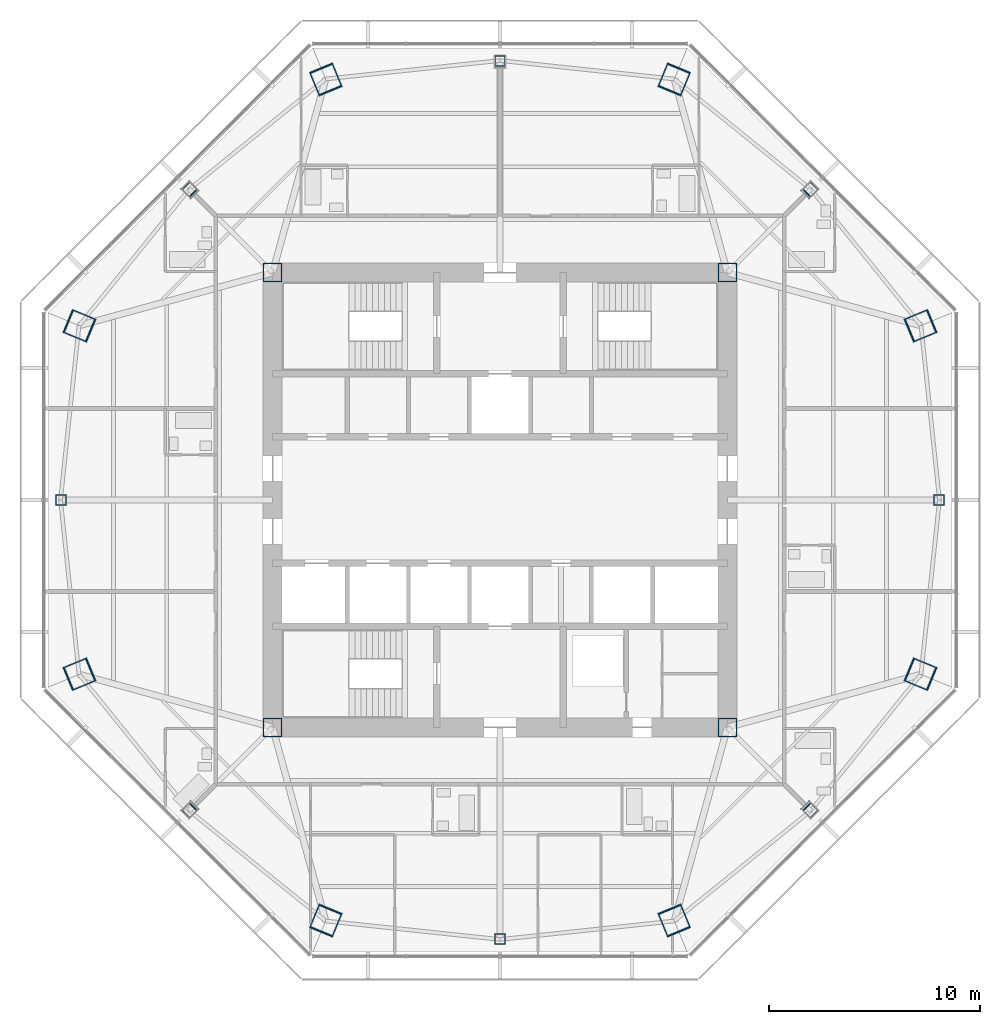
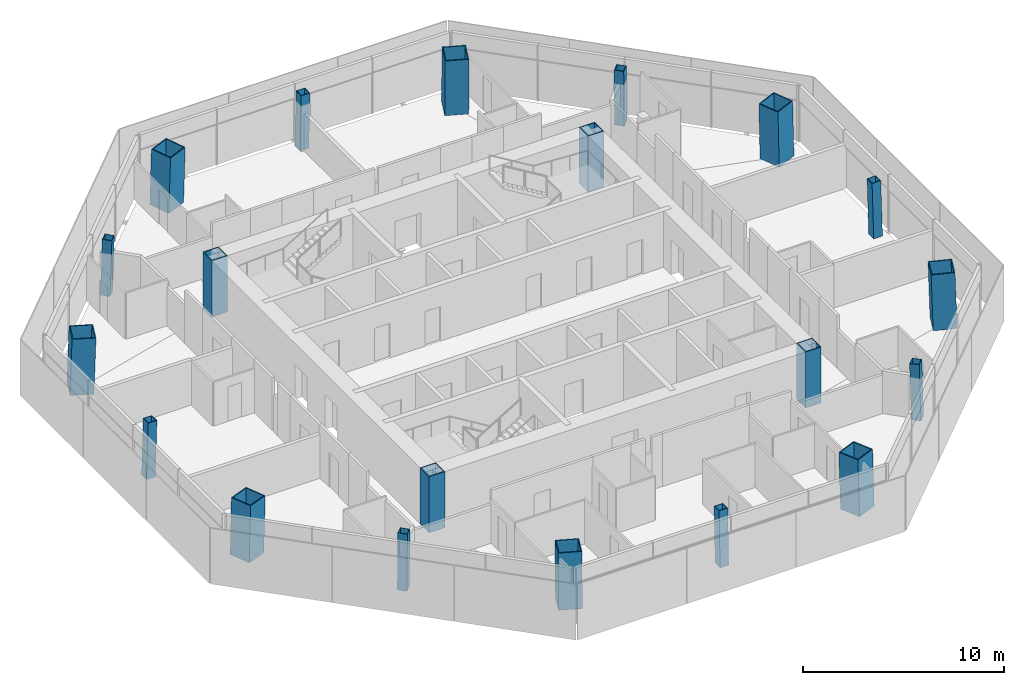
# One storey, part 1 of 15: 20 columns.
"""IFC4 building model written with IfcOpenShell, lengths in metres."""

import ifcopenshell
import ifcopenshell.guid

model = None  # the IFC model being written
_history = None  # IfcOwnerHistory: only IFC2X3 demands one
_inside = {}  # id of a spatial element -> (the spatial element, [elements in it])
_under = {}  # id of a project, library or spatial element -> (it, [spatial elements below it])
_declared = {}  # id of a project -> (the project, [libraries it declares])
_typed = {}  # id of a type object -> (the type object, [elements of that type])
_made_of = {}  # id of a material, layer set ... -> (it, [elements and type objects made of it])


def new_model(schema):
    """Start an empty IFC model of exactly this schema.

    Asked for "IFC4X3", IfcOpenShell would pick the latest addendum, in which some entities
    have other attributes; the version numbers below select the first issue.
    IFC2X3 requires an IfcOwnerHistory on every rooted entity: one is made here for all.
    """
    global model, _history
    if schema == "IFC4X3":
        model = ifcopenshell.file(schema_version=(4, 3, 0, 0))
    else:
        model = ifcopenshell.file(schema=schema)
    _inside.clear()
    _under.clear()
    _declared.clear()
    _typed.clear()
    _made_of.clear()
    _history = None
    if model.schema == "IFC2X3":
        org = make("IfcOrganization", Name="unknown")
        user = make(
            "IfcPersonAndOrganization",
            ThePerson=make("IfcPerson", FamilyName="unknown"),
            TheOrganization=org,
        )
        app = make(
            "IfcApplication",
            ApplicationDeveloper=org,
            Version="unknown",
            ApplicationFullName="unknown",
            ApplicationIdentifier="unknown",
        )
        _history = make(
            "IfcOwnerHistory",
            OwningUser=user,
            OwningApplication=app,
            ChangeAction="ADDED",
            CreationDate=0,
        )
    return model


def make(cls, **values):
    """One entity of the class cls with the attributes given. An attribute that is None is left unset."""
    return model.create_entity(
        cls, **{name: value for name, value in values.items() if value is not None}
    )


def rooted(cls, **values):
    """An entity with a GlobalId (a new one), such as an element, a storey or a relation."""
    return make(cls, GlobalId=ifcopenshell.guid.new(), OwnerHistory=_history, **values)


def si_unit(unit_type, name, prefix=None):
    """IfcSIUnit, for example si_unit("LENGTHUNIT", "METRE", prefix="MILLI")."""
    return make("IfcSIUnit", UnitType=unit_type, Prefix=prefix, Name=name)


def assignment(units):
    """IfcUnitAssignment: the units of a project."""
    return None if units is None else make("IfcUnitAssignment", Units=units)


def point(xyz):
    """IfcCartesianPoint."""
    return None if xyz is None else make("IfcCartesianPoint", Coordinates=xyz)


def direction(xyz):
    """IfcDirection."""
    return None if xyz is None else make("IfcDirection", DirectionRatios=xyz)


def frame(location, z_axis=None, x_axis=None):
    """IfcAxis2Placement3D, a coordinate frame: its origin and axes. An axis left out is left unset."""
    return make(
        "IfcAxis2Placement3D",
        Location=point(location),
        Axis=direction(z_axis),
        RefDirection=direction(x_axis),
    )


def frame_2d(location, x_axis=None):
    """IfcAxis2Placement2D, a coordinate frame in the plane: its origin and x axis."""
    return make(
        "IfcAxis2Placement2D", Location=point(location), RefDirection=direction(x_axis)
    )


def origin():
    """The frame at (0, 0, 0) with its axes left unset."""
    return frame((0.0, 0.0, 0.0))


def origin_2d():
    """The frame at (0, 0) in the plane with its x axis left unset."""
    return frame_2d((0.0, 0.0))


def place(relative_to, where):
    """IfcLocalPlacement: puts the frame where relative to a parent placement (None: the world)."""
    return make(
        "IfcLocalPlacement", PlacementRelTo=relative_to, RelativePlacement=where
    )


def context(
    kind, dimensions, precision=None, world=None, true_north=None, identifier=None
):
    """IfcGeometricRepresentationContext, for example the 3D "Model" context."""
    return make(
        "IfcGeometricRepresentationContext",
        ContextIdentifier=identifier,
        ContextType=kind,
        CoordinateSpaceDimension=dimensions,
        Precision=precision,
        WorldCoordinateSystem=world,
        TrueNorth=true_north,
    )


def subcontext(parent, identifier, kind, view, scale=None):
    """IfcGeometricRepresentationSubContext, for example "Body" below "Model"."""
    return make(
        "IfcGeometricRepresentationSubContext",
        ContextIdentifier=identifier,
        ContextType=kind,
        ParentContext=parent,
        TargetScale=scale,
        TargetView=view,
    )


def project(units=None, contexts=None):
    """IfcProject with its units and contexts."""
    return rooted(
        "IfcProject",
        Name="project",
        RepresentationContexts=contexts,
        UnitsInContext=assignment(units),
    )


def spatial(cls, under=None, at=None, **own):
    """A site, building, storey or space (cls), placed at a placement, below another one or the project."""
    s = rooted(cls, ObjectPlacement=at, **own)
    if under is not None:
        _under.setdefault(under.id(), (under, []))[1].append(s)
    return s


def profile(cls, at=None, kind="AREA", **sizes):
    """A parametric profile (cls). Its sizes go by their IFC names, for example OverallWidth=200.0."""
    return make(cls, ProfileType=kind, Position=at, **sizes)


def hollow_rectangle(**sizes):
    """IfcRectangleHollowProfileDef."""
    return profile("IfcRectangleHollowProfileDef", **sizes)


def extrude(swept, where, along, depth):
    """IfcExtrudedAreaSolid: the profile swept, set in the frame where, extruded along a direction by depth."""
    return make(
        "IfcExtrudedAreaSolid",
        SweptArea=swept,
        Position=where,
        ExtrudedDirection=direction(along),
        Depth=depth,
    )


def shape(context_of_items, identifier, shape_type, items):
    """IfcShapeRepresentation: the items that make up one representation, for example the "Body"."""
    return make(
        "IfcShapeRepresentation",
        ContextOfItems=context_of_items,
        RepresentationIdentifier=identifier,
        RepresentationType=shape_type,
        Items=items,
    )


def material(Name=None, Category=None):
    """IfcMaterial."""
    return make("IfcMaterial", Name=Name, Category=Category)


def material_profile(
    of_material, cross_section, Name=None, Category=None, Priority=None
):
    """IfcMaterialProfile: a cross section and its material."""
    return make(
        "IfcMaterialProfile",
        Name=Name,
        Material=of_material,
        Profile=cross_section,
        Priority=Priority,
        Category=Category,
    )


def profile_set(profiles, Name=None, composite=None):
    """IfcMaterialProfileSet."""
    return make(
        "IfcMaterialProfileSet",
        Name=Name,
        MaterialProfiles=profiles,
        CompositeProfile=composite,
    )


def made_of(thing, what):
    """Note that an element or type object is made of a material, layer set ...; save() writes the relation."""
    if what is not None:
        _made_of.setdefault(what.id(), (what, []))[1].append(thing)
    return thing


def type_object(cls, material=None, **own):
    """A type object (cls), such as IfcWallType, which elements share."""
    return made_of(rooted(cls, **own), material)


def element(
    cls,
    number,
    at=None,
    inside=None,
    cuts=None,
    type_object=None,
    material=None,
    context=None,
    identifier="Body",
    shape_type=None,
    held_by="IfcProductDefinitionShape",
    body=None,
    shapes=None,
    **own,
):
    """One element of the class cls, such as IfcWall. Its Tag is "e" and its number.

    at: its placement. inside: the storey or other place that contains it. cuts: it is an
    opening in that element (IfcRelVoidsElement). A single representation is given by context,
    identifier, shape_type and body (its items); several are given by shapes. held_by: the class
    of the entity that holds the representations. save() writes the other relations.
    """
    e = rooted(cls, Tag="e%d" % number, ObjectPlacement=at, **own)
    if body is not None:
        shapes = [shape(context, identifier, shape_type, body)]
    if shapes is not None:
        e.Representation = make(held_by, Representations=shapes)
    if inside is not None:
        _inside.setdefault(inside.id(), (inside, []))[1].append(e)
    if cuts is not None:
        rooted(
            "IfcRelVoidsElement", RelatingBuildingElement=cuts, RelatedOpeningElement=e
        )
    if type_object is not None:
        _typed.setdefault(type_object.id(), (type_object, []))[1].append(e)
    return made_of(e, material)


def aggregate(whole, parts):
    """IfcRelAggregates: a whole, such as a stair, and the parts it consists of."""
    return rooted("IfcRelAggregates", RelatingObject=whole, RelatedObjects=parts)


def save(model, path):
    """Write the relations noted so far, then the file.

    IfcRelAggregates (storeys below a building ...), IfcRelContainedInSpatialStructure (elements
    in a storey), IfcRelDefinesByType, IfcRelAssociatesMaterial and IfcRelDeclares: one each for
    every whole, place, type object, material and project.
    """
    for whole, parts in _under.values():
        aggregate(whole, parts)
    for where, things in _inside.values():
        rooted(
            "IfcRelContainedInSpatialStructure",
            RelatedElements=things,
            RelatingStructure=where,
        )
    for kind, things in _typed.values():
        rooted("IfcRelDefinesByType", RelatedObjects=things, RelatingType=kind)
    for what, things in _made_of.values():
        rooted("IfcRelAssociatesMaterial", RelatedObjects=things, RelatingMaterial=what)
    for by, libraries in _declared.values():
        rooted("IfcRelDeclares", RelatingContext=by, RelatedDefinitions=libraries)
    model.write(path)


model = new_model("IFC4")

# Units and contexts
model_context = context("Model", 3, precision=1e-05, world=origin(), true_north=direction((0.0, 1.0)))
body_context = subcontext(model_context, "Body", "Model", "MODEL_VIEW")
ifc_project = project(units=[si_unit("LENGTHUNIT", "METRE"), si_unit("AREAUNIT", "SQUARE_METRE"), si_unit("VOLUMEUNIT", "CUBIC_METRE"), si_unit("PLANEANGLEUNIT", "RADIAN"), si_unit("MASSUNIT", "GRAM", prefix="KILO")], contexts=[model_context])

# Site, building, storey
site_placement = place(None, origin())
site = spatial("IfcSite", under=ifc_project, at=site_placement, CompositionType="ELEMENT")
building_placement = place(site_placement, origin())
building = spatial("IfcBuilding", under=site, at=building_placement, Name="Mashrafa Tower", CompositionType="ELEMENT")
storey_placement = place(building_placement, frame((0.0, 0.0, 224.39990234375)))
storey = spatial("IfcBuildingStorey", under=building, at=storey_placement, Name="L52", CompositionType="ELEMENT", Elevation=224.39990234375)

# Columns
ifc_material_1 = material(Name="Steel ASTM A572 Gr 50", Category="steel")
ifc_material_profile_1 = material_profile(ifc_material_1, hollow_rectangle(XDim=0.89990234375, YDim=0.89990234375, WallThickness=0.050048828125, at=origin_2d()), Name="BOX900X900X50")
ifc_profile_set_1 = profile_set([ifc_material_profile_1], Name="Steel ASTM A572 Gr 50")
column_type_1 = type_object("IfcColumnType", Name="Core corner column BOX900X900X50", PredefinedType="COLUMN", material=ifc_profile_set_1)
for number, where, z_axis, x_axis, name in (
    (1, (10.800048828125, 10.800048828125, 0.0), (0.0, 0.0, 1.0), (1.0, 0.0, 0.0), "Core corner column CC-NE L52"),
    (2, (-10.800048828125, 10.800048828125, 0.0), (0.0, 0.0, 1.0), (1.0, 0.0, 0.0), "Core corner column CC-NW L52"),
    (3, (-10.800048828125, -10.800048828125, 0.0), (0.0, 0.0, 1.0), (1.0, 0.0, 0.0), "Core corner column CC-SW L52"),
    (4, (10.800048828125, -10.800048828125, 0.0), (0.0, 0.0, 1.0), (1.0, 0.0, 0.0), "Core corner column CC-SE L52"),
):
    element("IfcColumn", number, at=place(storey_placement, frame(where, z_axis=z_axis, x_axis=x_axis)), inside=storey, type_object=column_type_1, Name=name, PredefinedType="COLUMN", context=body_context, shape_type="SweptSolid", body=[
        extrude(hollow_rectangle(XDim=0.89990234375, YDim=0.89990234375, WallThickness=0.050048828125, at=origin_2d()), origin(), (0.0, 0.0, 1.0), 3.400146484375),
    ])
ifc_material_2 = material(Name="Steel ASTM A572 Gr 50", Category="steel")
ifc_material_profile_2 = material_profile(ifc_material_2, hollow_rectangle(XDim=1.199951171875, YDim=1.199951171875, WallThickness=0.054931640625, at=origin_2d()), Name="BOX1200X1200X55")
ifc_profile_set_2 = profile_set([ifc_material_profile_2], Name="Steel ASTM A572 Gr 50")
column_type_2 = type_object("IfcColumnType", Name="Mega column CFST BOX1200X1200X55", PredefinedType="COLUMN", material=ifc_profile_set_2)
for number, where, z_axis, x_axis, name in (
    (5, (19.988525390625, 8.279541015625, 0.0), (-0.028277121884, -0.011698403216, 0.999531666202), (0.382282742426, -0.924045401938, 0.0), "Mega column MC1 L52"),
    (6, (8.279541015625, 19.988525390625, 0.0), (-0.011698403216, -0.028277121884, 0.999531666202), (0.924045401938, -0.382282742426, 0.0), "Mega column MC2 L52"),
    (7, (-8.279541015625, 19.988525390625, 0.0), (0.011698403216, -0.028277121884, 0.999531666202), (0.924045401938, 0.382282742426, 0.0), "Mega column MC3 L52"),
    (8, (-19.988525390625, 8.279541015625, 0.0), (0.028277121884, -0.011698403216, 0.999531666202), (0.382282742426, 0.924045401938, 0.0), "Mega column MC4 L52"),
    (9, (-19.988525390625, -8.279541015625, 0.0), (0.028277121884, 0.011698403216, 0.999531666202), (-0.382282742426, 0.924045401938, 0.0), "Mega column MC5 L52"),
    (10, (-8.279541015625, -19.988525390625, 0.0), (0.011698403216, 0.028277121884, 0.999531666202), (-0.924045401938, 0.382282742426, 0.0), "Mega column MC6 L52"),
    (11, (8.279541015625, -19.988525390625, 0.0), (-0.011698403216, 0.028277121884, 0.999531666202), (-0.924045401938, -0.382282742426, 0.0), "Mega column MC7 L52"),
    (12, (19.988525390625, -8.279541015625, 0.0), (-0.028277121884, 0.011698403216, 0.999531666202), (-0.382282742426, -0.924045401938, 0.0), "Mega column MC8 L52"),
):
    element("IfcColumn", number, at=place(storey_placement, frame(where, z_axis=z_axis, x_axis=x_axis)), inside=storey, type_object=column_type_2, Name=name, PredefinedType="COLUMN", context=body_context, shape_type="SweptSolid", body=[
        extrude(hollow_rectangle(XDim=1.199951171875, YDim=1.199951171875, WallThickness=0.054931640625, at=origin_2d()), origin(), (0.0, 0.0, 1.0), 3.40185546875),
    ])
ifc_material_3 = material(Name="Steel ASTM A572 Gr 50", Category="steel")
ifc_material_profile_3 = material_profile(ifc_material_3, hollow_rectangle(XDim=0.5, YDim=0.5, WallThickness=0.02490234375, at=origin_2d()), Name="BOX500X500X25")
ifc_profile_set_3 = profile_set([ifc_material_profile_3], Name="Steel ASTM A572 Gr 50")
column_type_3 = type_object("IfcColumnType", Name="Secondary column BOX500X500X25", PredefinedType="COLUMN", material=ifc_profile_set_3)
for number, where, z_axis, x_axis, name in (
    (13, (20.86669921875, 0.0, 0.0), (-0.028279056982, 0.0, 0.999600067495), (0.0, -1.0, 0.0), "Secondary column SC1 L52"),
    (14, (14.755126953125, 14.755126953125, 0.0), (-0.020024994503, -0.020024994503, 0.999598919162), (0.707106781187, -0.707106781187, 0.0), "Secondary column SC2 L52"),
    (15, (0.0, 20.86669921875, 0.0), (0.0, -0.028279056982, 0.999600067495), (1.0, 0.0, 0.0), "Secondary column SC3 L52"),
    (16, (-14.755126953125, 14.755126953125, 0.0), (0.020024994503, -0.020024994503, 0.999598919162), (0.707106781187, 0.707106781187, 0.0), "Secondary column SC4 L52"),
    (17, (-20.86669921875, 0.0, 0.0), (0.028279056982, 0.0, 0.999600067495), (0.0, 1.0, 0.0), "Secondary column SC5 L52"),
    (18, (-14.755126953125, -14.755126953125, 0.0), (0.020024994503, 0.020024994503, 0.999598919162), (-0.707106781187, 0.707106781187, 0.0), "Secondary column SC6 L52"),
    (19, (0.0, -20.86669921875, 0.0), (0.0, 0.028279056982, 0.999600067495), (-1.0, 0.0, 0.0), "Secondary column SC7 L52"),
    (20, (14.755126953125, -14.755126953125, 0.0), (-0.020024994503, 0.020024994503, 0.999598919162), (-0.707106781187, -0.707106781187, 0.0), "Secondary column SC8 L52"),
):
    element("IfcColumn", number, at=place(storey_placement, frame(where, z_axis=z_axis, x_axis=x_axis)), inside=storey, type_object=column_type_3, Name=name, PredefinedType="COLUMN", context=body_context, shape_type="SweptSolid", body=[
        extrude(hollow_rectangle(XDim=0.5, YDim=0.5, WallThickness=0.02490234375, at=origin_2d()), origin(), (0.0, 0.0, 1.0), 3.401611328125),
    ])

save(model, "model.ifc")
